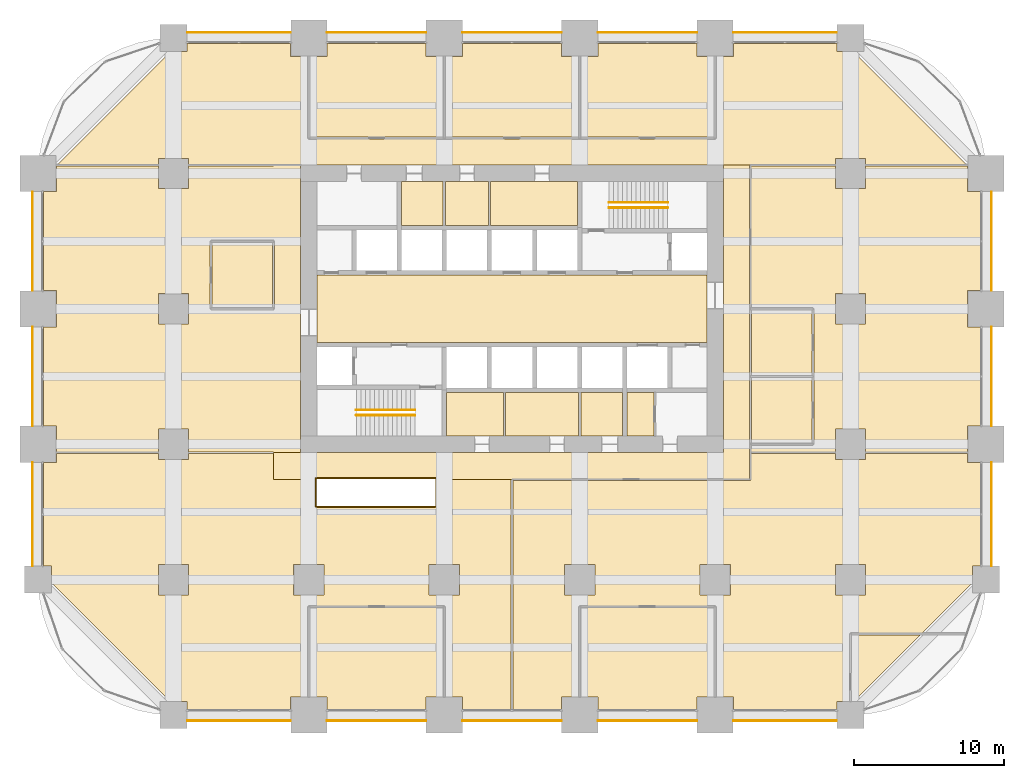
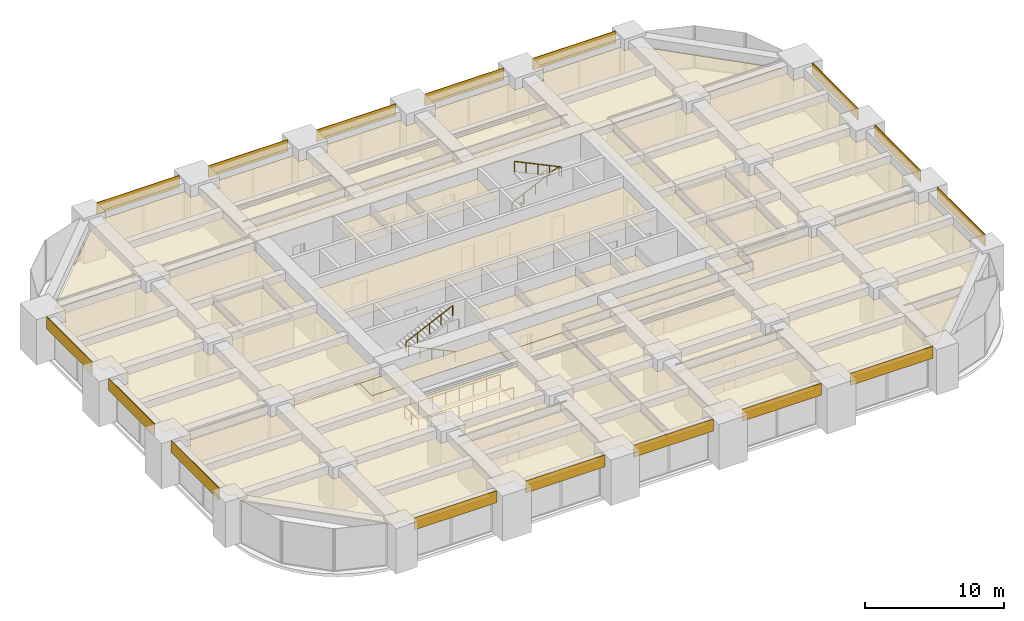
# One storey, part 39 of 39: 39 coverings, 5 railings.
"""IFC4 building model written with IfcOpenShell, lengths in metres."""

from ifc_helpers import new_model, si_unit, direction, frame, frame_2d, origin, origin_2d, place, context, subcontext, project, spatial, polyline, rectangle, circle, outline, extrude, material, layer, layer_set, type_object, element, save


model = new_model("IFC4")

# Units and contexts
model_context = context("Model", 3, precision=1e-05, world=origin(), true_north=direction((0.0, 1.0)))
body_context = subcontext(model_context, "Body", "Model", "MODEL_VIEW")
ifc_project = project(units=[si_unit("LENGTHUNIT", "METRE"), si_unit("AREAUNIT", "SQUARE_METRE"), si_unit("VOLUMEUNIT", "CUBIC_METRE"), si_unit("PLANEANGLEUNIT", "RADIAN"), si_unit("MASSUNIT", "GRAM", prefix="KILO")], contexts=[model_context])

# Site, building, storey
site_placement = place(None, origin())
site = spatial("IfcSite", under=ifc_project, at=site_placement, CompositionType="ELEMENT")
building_placement = place(site_placement, origin())
building = spatial("IfcBuilding", under=site, at=building_placement, Name="Zorevar Civic Tower", CompositionType="ELEMENT")
storey_placement = place(building_placement, frame((0.0, 0.0, 121.0)))
storey = spatial("IfcBuildingStorey", under=building, at=storey_placement, Name="L29", CompositionType="ELEMENT", Elevation=121.0)

# Railings
ifc_material_1 = material(Name="Laminated glass balustrade with black steel handrail", Category="steel")
railing_type_1 = type_object("IfcRailingType", Name="Balustrade BL1 1100", PredefinedType="BALUSTRADE", material=ifc_material_1)
railing_1_placement = place(storey_placement, frame((26.39990234375, 13.85009765625, 0.0)))
element("IfcRailing", 1, at=railing_1_placement, inside=storey, type_object=railing_type_1, Name="Balustrade BL1 stair void L29", PredefinedType="BALUSTRADE", context=body_context, shape_type="SweptSolid", body=[
    extrude(circle(Radius=0.02392578125, at=origin_2d()), frame((0.0, 0.0, 1.076171875), z_axis=(-1.0, 0.0, 0.0), x_axis=(0.0, -1.0, 0.0)), (0.0, 0.0, 1.0), 7.949951171875),
    extrude(circle(Radius=0.02392578125, at=origin_2d()), frame((-7.949951171875, 0.0, 1.076171875), z_axis=(0.0, 1.0, 0.0), x_axis=(-1.0, 0.0, 0.0)), (0.0, 0.0, 1.0), 1.89990234375),
    extrude(circle(Radius=0.02392578125, at=origin_2d()), frame((-7.949951171875, 1.89990234375, 1.076171875), z_axis=(1.0, 0.0, 0.0), x_axis=(0.0, 1.0, 0.0)), (0.0, 0.0, 1.0), 7.949951171875),
    extrude(circle(Radius=0.02099609375, at=origin_2d()), origin(), (0.0, 0.0, 1.0), 1.052001953125),
    extrude(circle(Radius=0.02099609375, at=origin_2d()), frame((-1.1357421875, 0.0, 0.0)), (0.0, 0.0, 1.0), 1.052001953125),
    extrude(circle(Radius=0.02099609375, at=origin_2d()), frame((-2.271484375, 0.0, 0.0)), (0.0, 0.0, 1.0), 1.052001953125),
    extrude(circle(Radius=0.02099609375, at=origin_2d()), frame((-3.4072265625, 0.0, 0.0)), (0.0, 0.0, 1.0), 1.052001953125),
    extrude(circle(Radius=0.02099609375, at=origin_2d()), frame((-4.542724609375, 0.0, 0.0)), (0.0, 0.0, 1.0), 1.052001953125),
    extrude(circle(Radius=0.02099609375, at=origin_2d()), frame((-5.678466796875, 0.0, 0.0)), (0.0, 0.0, 1.0), 1.052001953125),
    extrude(circle(Radius=0.02099609375, at=origin_2d()), frame((-6.814208984375, 0.0, 0.0)), (0.0, 0.0, 1.0), 1.052001953125),
    extrude(circle(Radius=0.02099609375, at=origin_2d()), frame((-7.949951171875, 0.0, 0.0)), (0.0, 0.0, 1.0), 1.052001953125),
    extrude(circle(Radius=0.02099609375, at=origin_2d()), frame((-7.949951171875, 0.949951171875, 0.0)), (0.0, 0.0, 1.0), 1.052001953125),
    extrude(circle(Radius=0.02099609375, at=origin_2d()), frame((-7.949951171875, 1.89990234375, 0.0)), (0.0, 0.0, 1.0), 1.052001953125),
    extrude(circle(Radius=0.02099609375, at=origin_2d()), frame((-6.814208984375, 1.89990234375, 0.0)), (0.0, 0.0, 1.0), 1.052001953125),
    extrude(circle(Radius=0.02099609375, at=origin_2d()), frame((-5.678466796875, 1.89990234375, 0.0)), (0.0, 0.0, 1.0), 1.052001953125),
    extrude(circle(Radius=0.02099609375, at=origin_2d()), frame((-4.542724609375, 1.89990234375, 0.0)), (0.0, 0.0, 1.0), 1.052001953125),
    extrude(circle(Radius=0.02099609375, at=origin_2d()), frame((-3.4072265625, 1.89990234375, 0.0)), (0.0, 0.0, 1.0), 1.052001953125),
    extrude(circle(Radius=0.02099609375, at=origin_2d()), frame((-2.271484375, 1.89990234375, 0.0)), (0.0, 0.0, 1.0), 1.052001953125),
    extrude(circle(Radius=0.02099609375, at=origin_2d()), frame((-1.1357421875, 1.89990234375, 0.0)), (0.0, 0.0, 1.0), 1.052001953125),
    extrude(circle(Radius=0.02099609375, at=origin_2d()), frame((0.0, 1.89990234375, 0.0)), (0.0, 0.0, 1.0), 1.052001953125),
])
ifc_material_2 = material(Name="Black steel handrail", Category="steel")
railing_type_2 = type_object("IfcRailingType", Name="Handrail HR1 900", PredefinedType="HANDRAIL", material=ifc_material_2)
railing_2_placement = place(storey_placement, frame((25.050048828125, 19.925048828125, 0.142822265625)))
element("IfcRailing", 2, at=railing_2_placement, inside=storey, type_object=railing_type_2, Name="Handrail HR1 ST1 L29", PredefinedType="HANDRAIL", context=body_context, shape_type="SweptSolid", body=[
    extrude(circle(Radius=0.02392578125, at=origin_2d()), frame((0.0, 0.0, 0.8759765625), z_axis=(-0.902863652845, 0.0, 0.429926998885), x_axis=(0.0, -1.0, 0.0)), (0.0, 0.0, 1.0), 4.31982421875),
    extrude(circle(Radius=0.02099609375, at=origin_2d()), origin(), (0.0, 0.0, 1.0), 0.851806640625),
    extrude(circle(Radius=0.02099609375, at=origin_2d()), frame((-0.97509765625, 0.0, 0.46435546875)), (0.0, 0.0, 1.0), 0.851806640625),
    extrude(circle(Radius=0.02099609375, at=origin_2d()), frame((-1.9501953125, 0.0, 0.9287109375)), (0.0, 0.0, 1.0), 0.851806640625),
    extrude(circle(Radius=0.02099609375, at=origin_2d()), frame((-2.925048828125, 0.0, 1.392822265625)), (0.0, 0.0, 1.0), 0.851806640625),
    extrude(circle(Radius=0.02099609375, at=origin_2d()), frame((-3.900146484375, 0.0, 1.857177734375)), (0.0, 0.0, 1.0), 0.851806640625),
])
for number, where, name in (
    (3, (21.14990234375, 20.27490234375, 2.142822265625), "Handrail HR1 ST1 L29"),
    (4, (37.949951171875, 34.074951171875, 0.142822265625), "Handrail HR1 ST2 L29"),
):
    element("IfcRailing", number, at=place(storey_placement, frame(where)), inside=storey, type_object=railing_type_2, Name=name, PredefinedType="HANDRAIL", context=body_context, shape_type="SweptSolid", body=[
        extrude(circle(Radius=0.02392578125, at=origin_2d()), frame((0.0, 0.0, 0.8759765625), z_axis=(0.902863652845, 0.0, 0.429926998885), x_axis=(0.0, 1.0, 0.0)), (0.0, 0.0, 1.0), 4.31982421875),
        extrude(circle(Radius=0.02099609375, at=origin_2d()), origin(), (0.0, 0.0, 1.0), 0.851806640625),
        extrude(circle(Radius=0.02099609375, at=origin_2d()), frame((0.97509765625, 0.0, 0.46435546875)), (0.0, 0.0, 1.0), 0.851806640625),
        extrude(circle(Radius=0.02099609375, at=origin_2d()), frame((1.9501953125, 0.0, 0.9287109375)), (0.0, 0.0, 1.0), 0.851806640625),
        extrude(circle(Radius=0.02099609375, at=origin_2d()), frame((2.925048828125, 0.0, 1.392822265625)), (0.0, 0.0, 1.0), 0.851806640625),
        extrude(circle(Radius=0.02099609375, at=origin_2d()), frame((3.900146484375, 0.0, 1.857177734375)), (0.0, 0.0, 1.0), 0.851806640625),
    ])
railing_3_placement = place(storey_placement, frame((41.85009765625, 33.72509765625, 2.142822265625)))
element("IfcRailing", 5, at=railing_3_placement, inside=storey, type_object=railing_type_2, Name="Handrail HR1 ST2 L29", PredefinedType="HANDRAIL", context=body_context, shape_type="SweptSolid", body=[
    extrude(circle(Radius=0.02392578125, at=origin_2d()), frame((0.0, 0.0, 0.8759765625), z_axis=(-0.902863652845, 0.0, 0.429926998885), x_axis=(0.0, -1.0, 0.0)), (0.0, 0.0, 1.0), 4.31982421875),
    extrude(circle(Radius=0.02099609375, at=origin_2d()), origin(), (0.0, 0.0, 1.0), 0.851806640625),
    extrude(circle(Radius=0.02099609375, at=origin_2d()), frame((-0.97509765625, 0.0, 0.46435546875)), (0.0, 0.0, 1.0), 0.851806640625),
    extrude(circle(Radius=0.02099609375, at=origin_2d()), frame((-1.9501953125, 0.0, 0.9287109375)), (0.0, 0.0, 1.0), 0.851806640625),
    extrude(circle(Radius=0.02099609375, at=origin_2d()), frame((-2.925048828125, 0.0, 1.392822265625)), (0.0, 0.0, 1.0), 0.851806640625),
    extrude(circle(Radius=0.02099609375, at=origin_2d()), frame((-3.900146484375, 0.0, 1.857177734375)), (0.0, 0.0, 1.0), 0.851806640625),
])

# Coverings
ifc_material_3 = material(Name="Moisture-resistant gypsum board")
ifc_layer_1 = layer(ifc_material_3, 0.012451171875)
ifc_layer_set_1 = layer_set([ifc_layer_1], Name="Moisture-resistant ceiling SC3")
covering_type_1 = type_object("IfcCoveringType", Name="Moisture-resistant ceiling SC3", PredefinedType="CEILING", material=ifc_layer_set_1)
covering_1_placement = place(storey_placement, frame((0.0, 0.0, 3.0)))
element("IfcCovering", 6, at=covering_1_placement, inside=storey, type_object=covering_type_1, Name="Ceiling L29-05", PredefinedType="CEILING", context=body_context, shape_type="SweptSolid", body=[
    extrude(outline(polyline([(30.925048828125, 18.550048828125), (30.925048828125, 21.449951171875), (27.14990234375, 21.449951171875), (27.14990234375, 18.550048828125), (30.925048828125, 18.550048828125)])), origin(), (0.0, 0.0, 1.0), 0.012451171875),
])
covering_2_placement = place(storey_placement, frame((0.0, 0.0, 3.0)))
element("IfcCovering", 7, at=covering_2_placement, inside=storey, type_object=covering_type_1, Name="Ceiling L29-06", PredefinedType="CEILING", context=body_context, shape_type="SweptSolid", body=[
    extrude(outline(polyline([(35.925048828125, 18.550048828125), (35.925048828125, 21.449951171875), (31.074951171875, 21.449951171875), (31.074951171875, 18.550048828125), (35.925048828125, 18.550048828125)])), origin(), (0.0, 0.0, 1.0), 0.012451171875),
])
covering_3_placement = place(storey_placement, frame((0.0, 0.0, 3.0)))
element("IfcCovering", 8, at=covering_3_placement, inside=storey, type_object=covering_type_1, Name="Ceiling L29-07", PredefinedType="CEILING", context=body_context, shape_type="SweptSolid", body=[
    extrude(outline(polyline([(38.85009765625, 18.550048828125), (38.85009765625, 21.449951171875), (36.074951171875, 21.449951171875), (36.074951171875, 18.550048828125), (38.85009765625, 18.550048828125)])), origin(), (0.0, 0.0, 1.0), 0.012451171875),
])
covering_4_placement = place(storey_placement, frame((0.0, 0.0, 3.0)))
element("IfcCovering", 9, at=covering_4_placement, inside=storey, type_object=covering_type_1, Name="Ceiling L29-10", PredefinedType="CEILING", context=body_context, shape_type="SweptSolid", body=[
    extrude(outline(polyline([(26.925048828125, 32.550048828125), (26.925048828125, 35.449951171875), (24.14990234375, 35.449951171875), (24.14990234375, 32.550048828125), (26.925048828125, 32.550048828125)])), origin(), (0.0, 0.0, 1.0), 0.012451171875),
])
ifc_material_4 = material(Name="Black anodised aluminium spandrel panel", Category="aluminium")
ifc_layer_2 = layer(ifc_material_4, 0.050048828125)
ifc_layer_set_2 = layer_set([ifc_layer_2], Name="Spandrel cladding SP1")
covering_type_2 = type_object("IfcCoveringType", Name="Spandrel cladding SP1", PredefinedType="CLADDING", material=ifc_layer_set_2)
covering_5_placement = place(storey_placement, frame((9.89990234375, -0.375, 2.949951171875), z_axis=(0.0, 0.0, 1.0), x_axis=(1.0, 0.0, 0.0)))
element("IfcCovering", 10, at=covering_5_placement, inside=storey, type_object=covering_type_2, Name="Spandrel cladding L30", PredefinedType="CLADDING", context=body_context, shape_type="SweptSolid", body=[
    extrude(rectangle(XDim=6.900146484375, YDim=0.050048828125, at=frame_2d((3.4501953125, 0.0))), origin(), (0.0, 0.0, 1.0), 1.050048828125),
])
for number, where, z_axis, x_axis, name in (
    (11, (19.199951171875, -0.375, 2.949951171875), (0.0, 0.0, 1.0), (1.0, 0.0, 0.0), "Spandrel cladding L30"),
    (12, (28.199951171875, -0.375, 2.949951171875), (0.0, 0.0, 1.0), (1.0, 0.0, 0.0), "Spandrel cladding L30"),
    (13, (37.199951171875, -0.375, 2.949951171875), (0.0, 0.0, 1.0), (1.0, 0.0, 0.0), "Spandrel cladding L30"),
):
    element("IfcCovering", number, at=place(storey_placement, frame(where, z_axis=z_axis, x_axis=x_axis)), inside=storey, type_object=covering_type_2, Name=name, PredefinedType="CLADDING", context=body_context, shape_type="SweptSolid", body=[
        extrude(rectangle(XDim=6.60009765625, YDim=0.050048828125, at=frame_2d((3.300048828125, 0.0))), origin(), (0.0, 0.0, 1.0), 1.050048828125),
    ])
for number, where, z_axis, x_axis, name in (
    (14, (46.199951171875, -0.375, 2.949951171875), (0.0, 0.0, 1.0), (1.0, 0.0, 0.0), "Spandrel cladding L30"),
    (15, (9.89990234375, 45.375, 2.949951171875), (0.0, 0.0, 1.0), (1.0, 0.0, 0.0), "Spandrel cladding L30"),
):
    element("IfcCovering", number, at=place(storey_placement, frame(where, z_axis=z_axis, x_axis=x_axis)), inside=storey, type_object=covering_type_2, Name=name, PredefinedType="CLADDING", context=body_context, shape_type="SweptSolid", body=[
        extrude(rectangle(XDim=6.900146484375, YDim=0.050048828125, at=frame_2d((3.4501953125, 0.0))), origin(), (0.0, 0.0, 1.0), 1.050048828125),
    ])
for number, where, z_axis, x_axis, name in (
    (16, (19.199951171875, 45.375, 2.949951171875), (0.0, 0.0, 1.0), (1.0, 0.0, 0.0), "Spandrel cladding L30"),
    (17, (28.199951171875, 45.375, 2.949951171875), (0.0, 0.0, 1.0), (1.0, 0.0, 0.0), "Spandrel cladding L30"),
    (18, (37.199951171875, 45.375, 2.949951171875), (0.0, 0.0, 1.0), (1.0, 0.0, 0.0), "Spandrel cladding L30"),
):
    element("IfcCovering", number, at=place(storey_placement, frame(where, z_axis=z_axis, x_axis=x_axis)), inside=storey, type_object=covering_type_2, Name=name, PredefinedType="CLADDING", context=body_context, shape_type="SweptSolid", body=[
        extrude(rectangle(XDim=6.60009765625, YDim=0.050048828125, at=frame_2d((3.300048828125, 0.0))), origin(), (0.0, 0.0, 1.0), 1.050048828125),
    ])
for number, where, z_axis, x_axis, name in (
    (19, (46.199951171875, 45.375, 2.949951171875), (0.0, 0.0, 1.0), (1.0, 0.0, 0.0), "Spandrel cladding L30"),
    (20, (-0.375, 9.89990234375, 2.949951171875), (0.0, 0.0, 1.0), (0.0, 1.0, 0.0), "Spandrel cladding L30"),
):
    element("IfcCovering", number, at=place(storey_placement, frame(where, z_axis=z_axis, x_axis=x_axis)), inside=storey, type_object=covering_type_2, Name=name, PredefinedType="CLADDING", context=body_context, shape_type="SweptSolid", body=[
        extrude(rectangle(XDim=6.900146484375, YDim=0.050048828125, at=frame_2d((3.4501953125, 0.0))), origin(), (0.0, 0.0, 1.0), 1.050048828125),
    ])
for number, where, z_axis, x_axis, name in (
    (21, (-0.375, 19.199951171875, 2.949951171875), (0.0, 0.0, 1.0), (0.0, 1.0, 0.0), "Spandrel cladding L30"),
    (22, (-0.375, 28.199951171875, 2.949951171875), (0.0, 0.0, 1.0), (0.0, 1.0, 0.0), "Spandrel cladding L30"),
):
    element("IfcCovering", number, at=place(storey_placement, frame(where, z_axis=z_axis, x_axis=x_axis)), inside=storey, type_object=covering_type_2, Name=name, PredefinedType="CLADDING", context=body_context, shape_type="SweptSolid", body=[
        extrude(rectangle(XDim=6.60009765625, YDim=0.050048828125, at=frame_2d((3.300048828125, 0.0))), origin(), (0.0, 0.0, 1.0), 1.050048828125),
    ])
covering_6_placement = place(storey_placement, frame((63.375, 9.89990234375, 2.949951171875), z_axis=(0.0, 0.0, 1.0), x_axis=(0.0, 1.0, 0.0)))
element("IfcCovering", 23, at=covering_6_placement, inside=storey, type_object=covering_type_2, Name="Spandrel cladding L30", PredefinedType="CLADDING", context=body_context, shape_type="SweptSolid", body=[
    extrude(rectangle(XDim=6.900146484375, YDim=0.050048828125, at=frame_2d((3.4501953125, 0.0))), origin(), (0.0, 0.0, 1.0), 1.050048828125),
])
for number, where, z_axis, x_axis, name in (
    (24, (63.375, 19.199951171875, 2.949951171875), (0.0, 0.0, 1.0), (0.0, 1.0, 0.0), "Spandrel cladding L30"),
    (25, (63.375, 28.199951171875, 2.949951171875), (0.0, 0.0, 1.0), (0.0, 1.0, 0.0), "Spandrel cladding L30"),
):
    element("IfcCovering", number, at=place(storey_placement, frame(where, z_axis=z_axis, x_axis=x_axis)), inside=storey, type_object=covering_type_2, Name=name, PredefinedType="CLADDING", context=body_context, shape_type="SweptSolid", body=[
        extrude(rectangle(XDim=6.60009765625, YDim=0.050048828125, at=frame_2d((3.300048828125, 0.0))), origin(), (0.0, 0.0, 1.0), 1.050048828125),
    ])
ifc_material_5 = material(Name="Mineral fibre tiles on a concealed grid")
ifc_layer_3 = layer(ifc_material_5, 0.02001953125)
ifc_layer_set_3 = layer_set([ifc_layer_3], Name="Suspended ceiling SC1")
covering_type_3 = type_object("IfcCoveringType", Name="Suspended ceiling SC1", PredefinedType="CEILING", material=ifc_layer_set_3)
covering_7_placement = place(storey_placement, frame((0.0, 0.0, 3.0)))
element("IfcCovering", 26, at=covering_7_placement, inside=storey, type_object=covering_type_3, Name="Ceiling L29-08", PredefinedType="CEILING", context=body_context, shape_type="SweptSolid", body=[
    extrude(outline(polyline([(35.85009765625, 32.550048828125), (35.85009765625, 35.449951171875), (30.06005859375, 35.449951171875), (30.06005859375, 32.550048828125), (35.85009765625, 32.550048828125)])), origin(), (0.0, 0.0, 1.0), 0.02001953125),
])
covering_8_placement = place(storey_placement, frame((0.0, 0.0, 3.0)))
element("IfcCovering", 27, at=covering_8_placement, inside=storey, type_object=covering_type_3, Name="Ceiling L29-09", PredefinedType="CEILING", context=body_context, shape_type="SweptSolid", body=[
    extrude(outline(polyline([(29.93994140625, 32.550048828125), (29.93994140625, 35.449951171875), (27.074951171875, 35.449951171875), (27.074951171875, 32.550048828125), (29.93994140625, 32.550048828125)])), origin(), (0.0, 0.0, 1.0), 0.02001953125),
])
covering_9_placement = place(storey_placement, frame((0.0, 0.0, 3.0)))
element("IfcCovering", 28, at=covering_9_placement, inside=storey, type_object=covering_type_3, Name="Ceiling L29-11", PredefinedType="CEILING", context=body_context, shape_type="SweptSolid", body=[
    extrude(outline(polyline([(40.93994140625, 18.550048828125), (40.93994140625, 21.449951171875), (39.14990234375, 21.449951171875), (39.14990234375, 18.550048828125), (40.93994140625, 18.550048828125)])), origin(), (0.0, 0.0, 1.0), 0.02001953125),
])
covering_10_placement = place(storey_placement, frame((0.0, 0.0, 3.0)))
element("IfcCovering", 29, at=covering_10_placement, inside=storey, type_object=covering_type_3, Name="Ceiling L29-16", PredefinedType="CEILING", context=body_context, shape_type="SweptSolid", body=[
    extrude(outline(polyline([(44.449951171875, 24.75), (44.449951171875, 29.25), (18.550048828125, 29.25), (18.550048828125, 24.75), (44.449951171875, 24.75)])), origin(), (0.0, 0.0, 1.0), 0.02001953125),
])
covering_11_placement = place(storey_placement, frame((0.0, 0.0, 3.0)))
element("IfcCovering", 30, at=covering_11_placement, inside=storey, type_object=covering_type_3, Name="Ceiling L29-17", PredefinedType="CEILING", context=body_context, shape_type="SweptSolid", body=[
    extrude(outline(polyline([(19.2099609375, 0.35009765625), (19.2099609375, 1.2099609375), (18.06005859375, 1.2099609375), (18.06005859375, 7.139892578125), (26.93994140625, 7.139892578125), (26.93994140625, 1.2099609375), (25.7900390625, 1.2099609375), (25.7900390625, 0.35009765625), (19.2099609375, 0.35009765625)])), origin(), (0.0, 0.0, 1.0), 0.02001953125),
])
covering_12_placement = place(storey_placement, frame((0.0, 0.0, 3.0)))
element("IfcCovering", 31, at=covering_12_placement, inside=storey, type_object=covering_type_3, Name="Ceiling L29-18", PredefinedType="CEILING", context=body_context, shape_type="SweptSolid", body=[
    extrude(outline(polyline([(37.2099609375, 0.35009765625), (37.2099609375, 1.2099609375), (36.06005859375, 1.2099609375), (36.06005859375, 7.139892578125), (44.93994140625, 7.139892578125), (44.93994140625, 1.2099609375), (43.7900390625, 1.2099609375), (43.7900390625, 0.35009765625), (37.2099609375, 0.35009765625)])), origin(), (0.0, 0.0, 1.0), 0.02001953125),
])
covering_13_placement = place(storey_placement, frame((0.0, 0.0, 3.0)))
element("IfcCovering", 32, at=covering_13_placement, inside=storey, type_object=covering_type_3, Name="Ceiling L29-19", PredefinedType="CEILING", context=body_context, shape_type="SweptSolid", body=[
    extrude(outline(polyline([(19.2099609375, 43.7900390625), (19.2099609375, 44.64990234375), (25.7900390625, 44.64990234375), (25.7900390625, 43.7900390625), (26.93994140625, 43.7900390625), (26.93994140625, 38.409912109375), (18.06005859375, 38.409912109375), (18.06005859375, 43.7900390625), (19.2099609375, 43.7900390625)])), origin(), (0.0, 0.0, 1.0), 0.02001953125),
])
covering_14_placement = place(storey_placement, frame((0.0, 0.0, 3.0)))
element("IfcCovering", 33, at=covering_14_placement, inside=storey, type_object=covering_type_3, Name="Ceiling L29-20", PredefinedType="CEILING", context=body_context, shape_type="SweptSolid", body=[
    extrude(outline(polyline([(28.2099609375, 43.7900390625), (28.2099609375, 44.64990234375), (34.7900390625, 44.64990234375), (34.7900390625, 43.7900390625), (35.93994140625, 43.7900390625), (35.93994140625, 38.409912109375), (27.06005859375, 38.409912109375), (27.06005859375, 43.7900390625), (28.2099609375, 43.7900390625)])), origin(), (0.0, 0.0, 1.0), 0.02001953125),
])
covering_15_placement = place(storey_placement, frame((0.0, 0.0, 3.0)))
element("IfcCovering", 34, at=covering_15_placement, inside=storey, type_object=covering_type_3, Name="Ceiling L29-21", PredefinedType="CEILING", context=body_context, shape_type="SweptSolid", body=[
    extrude(outline(polyline([(37.2099609375, 43.7900390625), (37.2099609375, 44.64990234375), (43.7900390625, 44.64990234375), (43.7900390625, 43.7900390625), (44.93994140625, 43.7900390625), (44.93994140625, 38.409912109375), (36.06005859375, 38.409912109375), (36.06005859375, 43.7900390625), (37.2099609375, 43.7900390625)])), origin(), (0.0, 0.0, 1.0), 0.02001953125),
])
covering_16_placement = place(storey_placement, frame((0.0, 0.0, 3.0)))
element("IfcCovering", 35, at=covering_16_placement, inside=storey, type_object=covering_type_3, Name="Ceiling L29-22", PredefinedType="CEILING", context=body_context, shape_type="SweptSolid", body=[
    extrude(outline(polyline([(15.590087890625, 27.06005859375), (11.56005859375, 27.06005859375), (11.56005859375, 31.43994140625), (15.590087890625, 31.43994140625), (15.590087890625, 27.06005859375)])), origin(), (0.0, 0.0, 1.0), 0.02001953125),
])
covering_17_placement = place(storey_placement, frame((0.0, 0.0, 3.0)))
element("IfcCovering", 36, at=covering_17_placement, inside=storey, type_object=covering_type_3, Name="Ceiling L29-23", PredefinedType="CEILING", context=body_context, shape_type="SweptSolid", body=[
    extrude(outline(polyline([(47.409912109375, 18.06005859375), (47.409912109375, 22.43994140625), (51.43994140625, 22.43994140625), (51.43994140625, 18.06005859375), (47.409912109375, 18.06005859375)])), origin(), (0.0, 0.0, 1.0), 0.02001953125),
])
covering_18_placement = place(storey_placement, frame((0.0, 0.0, 3.0)))
element("IfcCovering", 37, at=covering_18_placement, inside=storey, type_object=covering_type_3, Name="Ceiling L29-24", PredefinedType="CEILING", context=body_context, shape_type="SweptSolid", body=[
    extrude(outline(polyline([(51.43994140625, 22.56005859375), (47.409912109375, 22.56005859375), (47.409912109375, 26.93994140625), (51.43994140625, 26.93994140625), (51.43994140625, 22.56005859375)])), origin(), (0.0, 0.0, 1.0), 0.02001953125),
])
covering_19_placement = place(storey_placement, frame((0.0, 0.0, 3.0)))
element("IfcCovering", 38, at=covering_19_placement, inside=storey, type_object=covering_type_3, Name="Ceiling L29-25", PredefinedType="CEILING", context=body_context, shape_type="SweptSolid", body=[
    extrude(outline(polyline([(54.06005859375, 0.909912109375), (54.06005859375, 5.340087890625), (58.6328125, 5.340087890625), (54.202880859375, 0.909912109375), (54.06005859375, 0.909912109375)])), origin(), (0.0, 0.0, 1.0), 0.02001953125),
])
covering_20_placement = place(storey_placement, frame((0.0, 0.0, 3.0)))
element("IfcCovering", 39, at=covering_20_placement, inside=storey, type_object=covering_type_3, Name="Ceiling L29-26", PredefinedType="CEILING", context=body_context, shape_type="SweptSolid", body=[
    extrude(outline(polyline([(15.64990234375, 17.449951171875), (45.550048828125, 17.449951171875), (45.550048828125, 36.550048828125), (47.300048828125, 36.550048828125), (47.300048828125, 27.0), (47.2900390625, 27.0), (47.2900390625, 18.0), (47.300048828125, 18.0), (47.300048828125, 15.699951171875), (31.5, 15.699951171875), (31.5, 15.64990234375), (26.39990234375, 15.64990234375), (26.39990234375, 15.699951171875), (18.5, 15.699951171875), (18.5, 15.64990234375), (15.64990234375, 15.64990234375), (15.64990234375, 17.449951171875)])), origin(), (0.0, 0.0, 1.0), 0.02001953125),
])
covering_21_placement = place(storey_placement, frame((0.0, 0.0, 3.0)))
element("IfcCovering", 40, at=covering_21_placement, inside=storey, type_object=covering_type_3, Name="Ceiling L29-27", PredefinedType="CEILING", context=body_context, shape_type="SweptSolid", body=[
    extrude(outline(polyline([(52.989990234375, 34.989990234375), (55.010009765625, 34.989990234375), (55.010009765625, 36.5), (61.7900390625, 36.5), (61.7900390625, 34.7900390625), (62.64990234375, 34.7900390625), (62.64990234375, 28.2099609375), (61.7900390625, 28.2099609375), (61.7900390625, 25.7900390625), (62.64990234375, 25.7900390625), (62.64990234375, 19.2099609375), (61.7900390625, 19.2099609375), (61.7900390625, 17.5), (55.010009765625, 17.5), (55.010009765625, 19.010009765625), (52.989990234375, 19.010009765625), (52.989990234375, 17.5), (47.39990234375, 17.5), (47.39990234375, 17.93994140625), (51.5, 17.93994140625), (51.5, 18.0), (51.56005859375, 18.0), (51.56005859375, 27.0), (51.5, 27.0), (51.5, 27.06005859375), (47.39990234375, 27.06005859375), (47.39990234375, 36.5), (52.989990234375, 36.5), (52.989990234375, 34.989990234375)]), holes=[polyline([(55.010009765625, 28.010009765625), (52.989990234375, 28.010009765625), (52.989990234375, 25.989990234375), (55.010009765625, 25.989990234375), (55.010009765625, 28.010009765625)])]), origin(), (0.0, 0.0, 1.0), 0.02001953125),
])
covering_22_placement = place(storey_placement, frame((0.0, 0.0, 3.0)))
element("IfcCovering", 41, at=covering_22_placement, inside=storey, type_object=covering_type_3, Name="Ceiling L29-28", PredefinedType="CEILING", context=body_context, shape_type="SweptSolid", body=[
    extrude(outline(polyline([(16.7900390625, 44.64990234375), (16.7900390625, 43.7900390625), (17.93994140625, 43.7900390625), (17.93994140625, 38.35009765625), (18.0, 38.35009765625), (18.0, 38.2900390625), (45.0, 38.2900390625), (45.0, 38.35009765625), (45.06005859375, 38.35009765625), (45.06005859375, 43.7900390625), (46.2099609375, 43.7900390625), (46.2099609375, 44.64990234375), (53.090087890625, 44.64990234375), (53.090087890625, 44.090087890625), (54.202880859375, 44.090087890625), (61.69287109375, 36.60009765625), (55.010009765625, 36.60009765625), (55.010009765625, 37.010009765625), (52.989990234375, 37.010009765625), (52.989990234375, 36.60009765625), (47.35009765625, 36.60009765625), (47.35009765625, 36.550048828125), (15.64990234375, 36.550048828125), (15.64990234375, 36.60009765625), (10.010009765625, 36.60009765625), (10.010009765625, 37.010009765625), (7.989990234375, 37.010009765625), (7.989990234375, 36.60009765625), (1.30712890625, 36.60009765625), (8.797119140625, 44.090087890625), (9.909912109375, 44.090087890625), (9.909912109375, 44.64990234375), (16.7900390625, 44.64990234375)])), origin(), (0.0, 0.0, 1.0), 0.02001953125),
])
covering_23_placement = place(storey_placement, frame((0.0, 0.0, 3.0)))
element("IfcCovering", 42, at=covering_23_placement, inside=storey, type_object=covering_type_3, Name="Ceiling L29-29", PredefinedType="CEILING", context=body_context, shape_type="SweptSolid", body=[
    extrude(outline(polyline([(0.909912109375, 9.909912109375), (0.35009765625, 9.909912109375), (0.35009765625, 16.7900390625), (1.2099609375, 16.7900390625), (1.2099609375, 17.39990234375), (7.989990234375, 17.39990234375), (7.989990234375, 16.989990234375), (10.010009765625, 16.989990234375), (10.010009765625, 17.39990234375), (15.64990234375, 17.39990234375), (15.64990234375, 15.64990234375), (18.5, 15.64990234375), (18.5, 13.89990234375), (26.39990234375, 13.89990234375), (26.39990234375, 15.64990234375), (31.449951171875, 15.64990234375), (31.449951171875, 0.35009765625), (28.2099609375, 0.35009765625), (28.2099609375, 1.2099609375), (27.06005859375, 1.2099609375), (27.06005859375, 7.199951171875), (27.0, 7.199951171875), (27.0, 7.260009765625), (18.0, 7.260009765625), (18.0, 7.199951171875), (17.93994140625, 7.199951171875), (17.93994140625, 1.2099609375), (16.7900390625, 1.2099609375), (16.7900390625, 0.35009765625), (9.909912109375, 0.35009765625), (9.909912109375, 0.909912109375), (8.797119140625, 0.909912109375), (0.909912109375, 8.797119140625), (0.909912109375, 9.909912109375)]), holes=[polyline([(7.989990234375, 7.989990234375), (10.010009765625, 7.989990234375), (10.010009765625, 10.010009765625), (7.989990234375, 10.010009765625), (7.989990234375, 7.989990234375)]), polyline([(19.010009765625, 7.989990234375), (19.010009765625, 10.010009765625), (16.989990234375, 10.010009765625), (16.989990234375, 7.989990234375), (19.010009765625, 7.989990234375)]), polyline([(25.989990234375, 10.010009765625), (25.989990234375, 7.989990234375), (28.010009765625, 7.989990234375), (28.010009765625, 10.010009765625), (25.989990234375, 10.010009765625)])]), origin(), (0.0, 0.0, 1.0), 0.02001953125),
])
covering_24_placement = place(storey_placement, frame((0.0, 0.0, 3.0)))
element("IfcCovering", 43, at=covering_24_placement, inside=storey, type_object=covering_type_3, Name="Ceiling L29-30", PredefinedType="CEILING", context=body_context, shape_type="SweptSolid", body=[
    extrude(outline(polyline([(62.090087890625, 9.909912109375), (62.090087890625, 8.797119140625), (58.7529296875, 5.4599609375), (54.0, 5.4599609375), (54.0, 5.39990234375), (53.93994140625, 5.39990234375), (53.93994140625, 0.909912109375), (53.090087890625, 0.909912109375), (53.090087890625, 0.35009765625), (46.2099609375, 0.35009765625), (46.2099609375, 1.2099609375), (45.06005859375, 1.2099609375), (45.06005859375, 7.199951171875), (45.0, 7.199951171875), (45.0, 7.260009765625), (36.0, 7.260009765625), (36.0, 7.199951171875), (35.93994140625, 7.199951171875), (35.93994140625, 1.2099609375), (34.7900390625, 1.2099609375), (34.7900390625, 0.35009765625), (31.550048828125, 0.35009765625), (31.550048828125, 15.60009765625), (47.35009765625, 15.60009765625), (47.35009765625, 15.64990234375), (47.39990234375, 15.64990234375), (47.39990234375, 17.39990234375), (52.989990234375, 17.39990234375), (52.989990234375, 16.989990234375), (55.010009765625, 16.989990234375), (55.010009765625, 17.39990234375), (61.7900390625, 17.39990234375), (61.7900390625, 16.7900390625), (62.64990234375, 16.7900390625), (62.64990234375, 9.909912109375), (62.090087890625, 9.909912109375)]), holes=[polyline([(37.010009765625, 10.010009765625), (34.989990234375, 10.010009765625), (34.989990234375, 7.989990234375), (37.010009765625, 7.989990234375), (37.010009765625, 10.010009765625)]), polyline([(43.989990234375, 7.989990234375), (46.010009765625, 7.989990234375), (46.010009765625, 10.010009765625), (43.989990234375, 10.010009765625), (43.989990234375, 7.989990234375)]), polyline([(55.010009765625, 10.010009765625), (52.989990234375, 10.010009765625), (52.989990234375, 7.989990234375), (55.010009765625, 7.989990234375), (55.010009765625, 10.010009765625)])]), origin(), (0.0, 0.0, 1.0), 0.02001953125),
])
covering_25_placement = place(storey_placement, frame((0.0, 0.0, 3.0)))
element("IfcCovering", 44, at=covering_25_placement, inside=storey, type_object=covering_type_3, Name="Ceiling L29-31", PredefinedType="CEILING", context=body_context, shape_type="SweptSolid", body=[
    extrude(outline(polyline([(15.64990234375, 36.5), (15.64990234375, 36.550048828125), (17.449951171875, 36.550048828125), (17.449951171875, 17.449951171875), (15.64990234375, 17.449951171875), (15.64990234375, 17.5), (10.010009765625, 17.5), (10.010009765625, 19.010009765625), (7.989990234375, 19.010009765625), (7.989990234375, 17.5), (1.2099609375, 17.5), (1.2099609375, 19.2099609375), (0.35009765625, 19.2099609375), (0.35009765625, 25.7900390625), (1.2099609375, 25.7900390625), (1.2099609375, 28.2099609375), (0.35009765625, 28.2099609375), (0.35009765625, 34.7900390625), (1.2099609375, 34.7900390625), (1.2099609375, 36.5), (7.989990234375, 36.5), (7.989990234375, 34.989990234375), (10.010009765625, 34.989990234375), (10.010009765625, 36.5), (15.64990234375, 36.5)]), holes=[polyline([(15.64990234375, 27.0), (15.7099609375, 27.0), (15.7099609375, 31.5), (15.64990234375, 31.5), (15.64990234375, 31.56005859375), (11.5, 31.56005859375), (11.5, 31.5), (11.43994140625, 31.5), (11.43994140625, 27.0), (11.5, 27.0), (11.5, 26.93994140625), (15.64990234375, 26.93994140625), (15.64990234375, 27.0)]), polyline([(7.989990234375, 28.010009765625), (7.989990234375, 25.989990234375), (10.010009765625, 25.989990234375), (10.010009765625, 28.010009765625), (7.989990234375, 28.010009765625)])]), origin(), (0.0, 0.0, 1.0), 0.02001953125),
])

save(model, "model.ifc")
